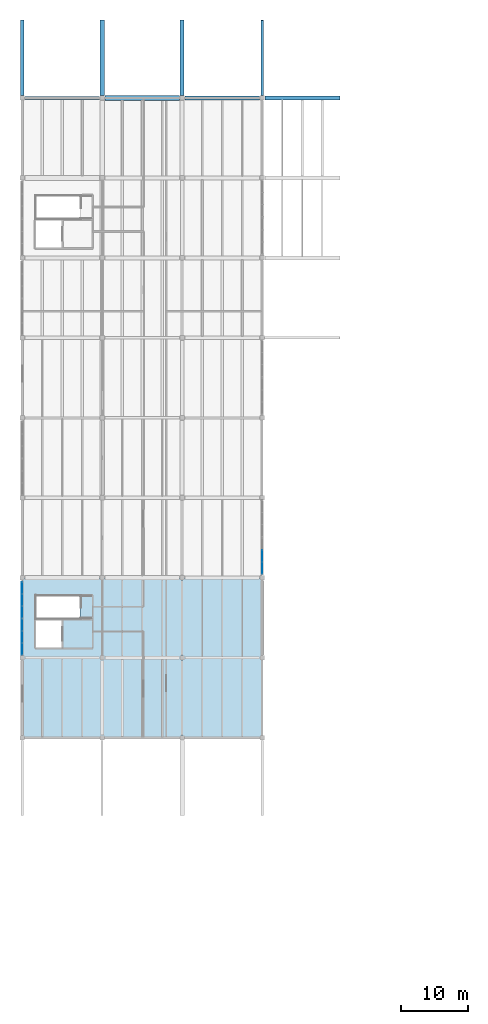
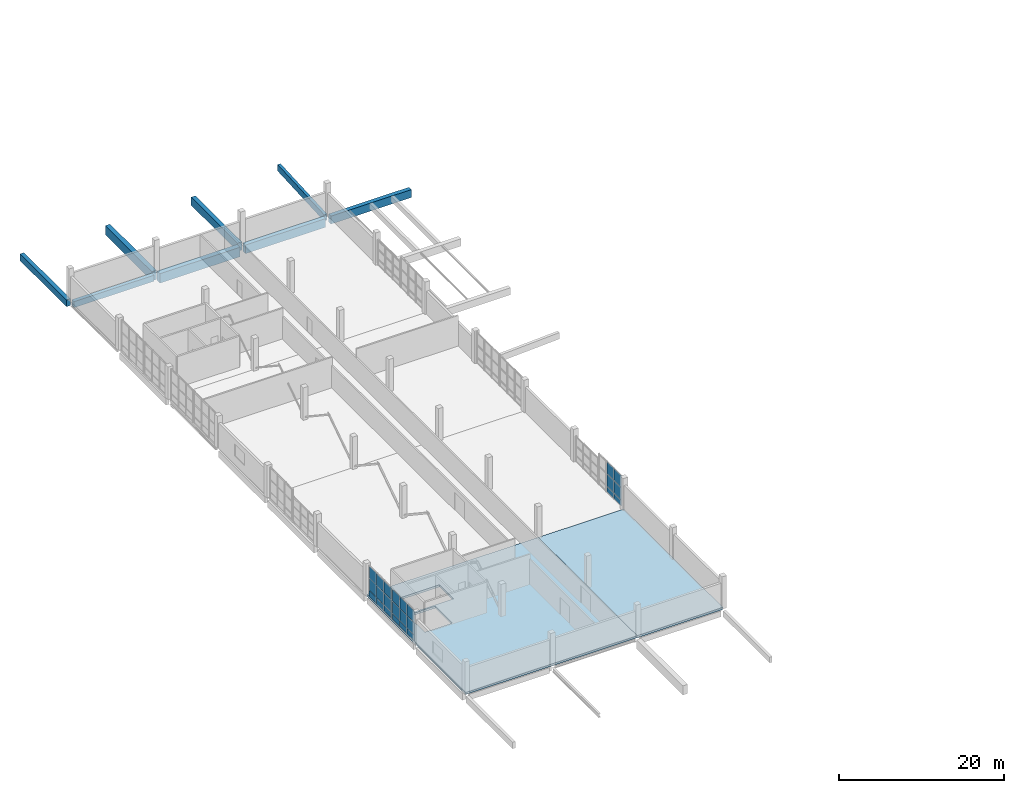
# One storey, part 26 of 49: 24 plates, 8 beams, 2 slabs, 3 elements without a shape of their own.
"""IFC4 building model written with IfcOpenShell, lengths in metres."""

from ifc_helpers import new_model, si_unit, direction, frame, origin, origin_2d, place, context, subcontext, project, spatial, polyline, rectangle, outline, extrude, material, layer, layer_set, material_profile, profile_set, type_object, element, aggregate, save


model = new_model("IFC4")

# Units and contexts
model_context = context("Model", 3, precision=1e-05, world=origin(), true_north=direction((0.0, 1.0)))
body_context = subcontext(model_context, "Body", "Model", "MODEL_VIEW")
ifc_project = project(units=[si_unit("LENGTHUNIT", "METRE"), si_unit("AREAUNIT", "SQUARE_METRE"), si_unit("VOLUMEUNIT", "CUBIC_METRE"), si_unit("PLANEANGLEUNIT", "RADIAN"), si_unit("MASSUNIT", "GRAM", prefix="KILO")], contexts=[model_context])

# Site, building, storey
site_placement = place(None, origin())
site = spatial("IfcSite", under=ifc_project, at=site_placement, CompositionType="ELEMENT")
building_placement = place(site_placement, origin())
building = spatial("IfcBuilding", under=site, at=building_placement, Name="Kamomehara Wholesale Market", CompositionType="ELEMENT")
storey_placement = place(building_placement, frame((0.0, 0.0, 11.39990234375)))
storey = spatial("IfcBuildingStorey", under=building, at=storey_placement, Name="L02", CompositionType="ELEMENT", Elevation=11.39990234375)

# Beams
ifc_material_1 = material(Name="Precast concrete Fc45 (C40/50)", Category="concrete")
ifc_material_profile_1 = material_profile(ifc_material_1, rectangle(XDim=0.580078125, YDim=1.179931640625, at=origin_2d()), Name="PC-GRD-580x1180")
ifc_profile_set_1 = profile_set([ifc_material_profile_1], Name="Precast concrete Fc45 (C40/50)")
beam_type_1 = type_object("IfcBeamType", Name="BM-PG1180", PredefinedType="T_BEAM", material=ifc_profile_set_1)
beam_1_placement = place(storey_placement, frame((36.389892578125, 144.0, -0.849853515625), z_axis=(1.0, 0.0, 0.0), x_axis=(0.0, 1.0, 0.0)))
element("IfcBeam", 1, at=beam_1_placement, inside=storey, type_object=beam_type_1, Name="Beam PG-14 L02", PredefinedType="T_BEAM", context=body_context, shape_type="SweptSolid", body=[
    extrude(rectangle(XDim=0.580078125, YDim=1.179931640625, at=origin_2d()), origin(), (0.0, 0.0, 1.0), 11.25),
])
ifc_material_2 = material(Name="Precast concrete Fc45 (C40/50)", Category="concrete")
ifc_material_profile_2 = material_profile(ifc_material_2, rectangle(XDim=0.60009765625, YDim=1.199951171875, at=origin_2d()), Name="PC-GRD-600x1200")
ifc_profile_set_2 = profile_set([ifc_material_profile_2], Name="Precast concrete Fc45 (C40/50)")
beam_type_2 = type_object("IfcBeamType", Name="BM-PG1200", PredefinedType="T_BEAM", material=ifc_profile_set_2)
beam_2_placement = place(storey_placement, frame((24.0, 144.389892578125, -0.85986328125), z_axis=(0.0, 1.0, 0.0), x_axis=(-1.0, 0.0, 0.0)))
element("IfcBeam", 2, at=beam_2_placement, inside=storey, type_object=beam_type_2, Name="Beam PG-05 L02", PredefinedType="T_BEAM", context=body_context, shape_type="SweptSolid", body=[
    extrude(rectangle(XDim=0.60009765625, YDim=1.199951171875, at=origin_2d()), origin(), (0.0, 0.0, 1.0), 11.28515625),
])
ifc_material_3 = material(Name="Precast concrete Fc45 (C40/50)", Category="concrete")
ifc_material_profile_3 = material_profile(ifc_material_3, rectangle(XDim=0.6201171875, YDim=1.280029296875, at=origin_2d()), Name="PC-GRD-620x1280")
ifc_profile_set_3 = profile_set([ifc_material_profile_3], Name="Precast concrete Fc45 (C40/50)")
beam_type_3 = type_object("IfcBeamType", Name="BM-PG1280", PredefinedType="T_BEAM", material=ifc_profile_set_3)
beam_3_placement = place(storey_placement, frame((24.389892578125, 144.0, -0.971923828125), z_axis=(1.0, 0.0, 0.0), x_axis=(0.0, 1.0, 0.0)))
element("IfcBeam", 3, at=beam_3_placement, inside=storey, type_object=beam_type_3, Name="Beam PG-13 L02", PredefinedType="T_BEAM", context=body_context, shape_type="SweptSolid", body=[
    extrude(rectangle(XDim=0.6201171875, YDim=1.280029296875, at=origin_2d()), origin(), (0.0, 0.0, 1.0), 11.22021484375),
])
ifc_material_4 = material(Name="Precast concrete Fc45 (C40/50)", Category="concrete")
ifc_material_profile_4 = material_profile(ifc_material_4, rectangle(XDim=0.64990234375, YDim=1.35009765625, at=origin_2d()), Name="PC-GRD-650x1350")
ifc_profile_set_4 = profile_set([ifc_material_profile_4], Name="Precast concrete Fc45 (C40/50)")
beam_type_4 = type_object("IfcBeamType", Name="BM-PG1350", PredefinedType="T_BEAM", material=ifc_profile_set_4)
beam_4_placement = place(storey_placement, frame((12.0, 144.389892578125, -0.934814453125), z_axis=(0.0, 1.0, 0.0), x_axis=(-1.0, 0.0, 0.0)))
element("IfcBeam", 4, at=beam_4_placement, inside=storey, type_object=beam_type_4, Name="Beam PG-03 L02", PredefinedType="T_BEAM", context=body_context, shape_type="SweptSolid", body=[
    extrude(rectangle(XDim=0.64990234375, YDim=1.35009765625, at=origin_2d()), origin(), (0.0, 0.0, 1.0), 11.28515625),
])
ifc_material_5 = material(Name="Precast concrete Fc45 (C40/50)", Category="concrete")
ifc_material_profile_5 = material_profile(ifc_material_5, rectangle(XDim=0.699951171875, YDim=1.39990234375, at=origin_2d()), Name="PC-GRD-700x1400")
ifc_profile_set_5 = profile_set([ifc_material_profile_5], Name="Precast concrete Fc45 (C40/50)")
beam_type_5 = type_object("IfcBeamType", Name="BM-PG1400", PredefinedType="T_BEAM", material=ifc_profile_set_5)
beam_5_placement = place(storey_placement, frame((12.389892578125, 144.0, -1.052001953125), z_axis=(1.0, 0.0, 0.0), x_axis=(0.0, 1.0, 0.0)))
element("IfcBeam", 5, at=beam_5_placement, inside=storey, type_object=beam_type_5, Name="Beam PG-02 L02", PredefinedType="T_BEAM", context=body_context, shape_type="SweptSolid", body=[
    extrude(rectangle(XDim=0.699951171875, YDim=1.39990234375, at=origin_2d()), origin(), (0.0, 0.0, 1.0), 11.22021484375),
])
ifc_material_6 = material(Name="Precast concrete Fc45 (C40/50)", Category="concrete")
ifc_material_profile_6 = material_profile(ifc_material_6, rectangle(XDim=0.5, YDim=0.89990234375, at=origin_2d()), Name="PC-GRD-500x900")
ifc_profile_set_6 = profile_set([ifc_material_profile_6], Name="Precast concrete Fc45 (C40/50)")
beam_type_6 = type_object("IfcBeamType", Name="BM-PG900", PredefinedType="T_BEAM", material=ifc_profile_set_6)
beam_6_placement = place(storey_placement, frame((0.389892578125, 144.0, -0.802001953125), z_axis=(1.0, 0.0, 0.0), x_axis=(0.0, 1.0, 0.0)))
element("IfcBeam", 6, at=beam_6_placement, inside=storey, type_object=beam_type_6, Name="Beam PG-10 L02", PredefinedType="T_BEAM", context=body_context, shape_type="SweptSolid", body=[
    extrude(rectangle(XDim=0.5, YDim=0.89990234375, at=origin_2d()), origin(), (0.0, 0.0, 1.0), 11.22021484375),
])
ifc_material_7 = material(Name="Concrete Fc36 (C35/45)", Category="concrete")
ifc_material_profile_7 = material_profile(ifc_material_7, rectangle(XDim=0.550048828125, YDim=1.0, at=origin_2d()), Name="RC-SEB-550x1000")
ifc_profile_set_7 = profile_set([ifc_material_profile_7], Name="Concrete Fc36 (C35/45)")
beam_type_7 = type_object("IfcBeamType", Name="BM-SEB1000-EXT", PredefinedType="SPANDREL", material=ifc_profile_set_7)
beam_7_placement = place(storey_placement, frame((0.0, 144.389892578125, -0.760009765625), z_axis=(0.0, 1.0, 0.0), x_axis=(-1.0, 0.0, 0.0)))
element("IfcBeam", 7, at=beam_7_placement, inside=storey, type_object=beam_type_7, Name="Beam SEB-03E L02", PredefinedType="SPANDREL", context=body_context, shape_type="SweptSolid", body=[
    extrude(rectangle(XDim=0.550048828125, YDim=1.0, at=origin_2d()), origin(), (0.0, 0.0, 1.0), 11.28515625),
])
ifc_material_8 = material(Name="Precast concrete Fc45 (C40/50)", Category="concrete")
ifc_material_profile_8 = material_profile(ifc_material_8, rectangle(XDim=0.39990234375, YDim=0.949951171875, at=origin_2d()), Name="PC-SPN-400x950")
ifc_profile_set_8 = profile_set([ifc_material_profile_8], Name="Precast concrete Fc45 (C40/50)")
beam_type_8 = type_object("IfcBeamType", Name="BM-SPN950-EXT", PredefinedType="SPANDREL", material=ifc_profile_set_8)
beam_8_placement = place(storey_placement, frame((36.0, 144.389892578125, -0.73388671875), z_axis=(0.0, 0.998589156398, 0.053100816598), x_axis=(-1.0, 0.0, 0.0)))
element("IfcBeam", 8, at=beam_8_placement, inside=storey, type_object=beam_type_8, Name="Beam SPN-01E L02", PredefinedType="SPANDREL", context=body_context, shape_type="SweptSolid", body=[
    extrude(rectangle(XDim=0.39990234375, YDim=0.949951171875, at=origin_2d()), origin(), (0.0, 0.0, 1.0), 11.301025390625),
])

# Curtain wall, plates
ifc_material_9 = material(Name="Anodised aluminium 6063-T5", Category="aluminium")
curtain_wall_type_1 = type_object("IfcCurtainWallType", Name="CW-UN-10", PredefinedType="NOTDEFINED", material=ifc_material_9)
curtain_wall_1_placement = place(storey_placement, origin())
curtain_wall_1 = element("IfcCurtainWall", 9, at=curtain_wall_1_placement, inside=storey, type_object=curtain_wall_type_1, Name="Unitised curtain wall CW-001", PredefinedType="NOTDEFINED")
ifc_material_10 = material(Name="Solar-control Low-E double glazing", Category="glass")
ifc_layer_1 = layer(ifc_material_10, 0.028076171875)
ifc_layer_set_1 = layer_set([ifc_layer_1], Name="Solar-control Low-E double glazing")
plate_type_1 = type_object("IfcPlateType", Name="CW-PNL-GLZ", PredefinedType="CURTAIN_PANEL", material=ifc_layer_set_1)
plate_1_placement = place(storey_placement, frame((-0.02001953125, 61.300048828125, 0.9794921875), z_axis=(0.0, 0.0, 1.0), x_axis=(0.0, 1.0, 0.0)))
plate_1 = element("IfcPlate", 10, at=plate_1_placement, type_object=plate_type_1, Name="Curtain panel CW-001.0.1", PredefinedType="CURTAIN_PANEL", context=body_context, shape_type="SweptSolid", body=[
    extrude(rectangle(XDim=1.719970703125, YDim=0.028076171875, at=origin_2d()), origin(), (0.0, 0.0, 1.0), 1.764892578125),
])
plate_2_placement = place(storey_placement, frame((-0.02001953125, 61.300048828125, 2.8056640625), z_axis=(0.0, 0.0, 1.0), x_axis=(0.0, 1.0, 0.0)))
plate_2 = element("IfcPlate", 11, at=plate_2_placement, type_object=plate_type_1, Name="Curtain panel CW-001.0.2", PredefinedType="CURTAIN_PANEL", context=body_context, shape_type="SweptSolid", body=[
    extrude(rectangle(XDim=1.719970703125, YDim=0.028076171875, at=origin_2d()), origin(), (0.0, 0.0, 1.0), 1.72509765625),
])
plate_3_placement = place(storey_placement, frame((-0.02001953125, 63.10009765625, 0.9794921875), z_axis=(0.0, 0.0, 1.0), x_axis=(0.0, 1.0, 0.0)))
plate_3 = element("IfcPlate", 12, at=plate_3_placement, type_object=plate_type_1, Name="Curtain panel CW-001.1.1", PredefinedType="CURTAIN_PANEL", context=body_context, shape_type="SweptSolid", body=[
    extrude(rectangle(XDim=1.719970703125, YDim=0.028076171875, at=origin_2d()), origin(), (0.0, 0.0, 1.0), 1.764892578125),
])
plate_4_placement = place(storey_placement, frame((-0.02001953125, 63.10009765625, 2.8056640625), z_axis=(0.0, 0.0, 1.0), x_axis=(0.0, 1.0, 0.0)))
plate_4 = element("IfcPlate", 13, at=plate_4_placement, type_object=plate_type_1, Name="Curtain panel CW-001.1.2", PredefinedType="CURTAIN_PANEL", context=body_context, shape_type="SweptSolid", body=[
    extrude(rectangle(XDim=1.719970703125, YDim=0.028076171875, at=origin_2d()), origin(), (0.0, 0.0, 1.0), 1.72509765625),
])
plate_5_placement = place(storey_placement, frame((-0.02001953125, 64.89990234375, 0.9794921875), z_axis=(0.0, 0.0, 1.0), x_axis=(0.0, 1.0, 0.0)))
plate_5 = element("IfcPlate", 14, at=plate_5_placement, type_object=plate_type_1, Name="Curtain panel CW-001.2.1", PredefinedType="CURTAIN_PANEL", context=body_context, shape_type="SweptSolid", body=[
    extrude(rectangle(XDim=1.719970703125, YDim=0.028076171875, at=origin_2d()), origin(), (0.0, 0.0, 1.0), 1.764892578125),
])
plate_6_placement = place(storey_placement, frame((-0.02001953125, 64.89990234375, 2.8056640625), z_axis=(0.0, 0.0, 1.0), x_axis=(0.0, 1.0, 0.0)))
plate_6 = element("IfcPlate", 15, at=plate_6_placement, type_object=plate_type_1, Name="Curtain panel CW-001.2.2", PredefinedType="CURTAIN_PANEL", context=body_context, shape_type="SweptSolid", body=[
    extrude(rectangle(XDim=1.719970703125, YDim=0.028076171875, at=origin_2d()), origin(), (0.0, 0.0, 1.0), 1.72509765625),
])

curtain_wall_2_placement = place(storey_placement, origin())
curtain_wall_2 = element("IfcCurtainWall", 16, at=curtain_wall_2_placement, inside=storey, type_object=curtain_wall_type_1, Name="Unitised curtain wall CW-002", PredefinedType="NOTDEFINED")
plate_7_placement = place(storey_placement, frame((-0.02001953125, 66.89990234375, 0.9794921875), z_axis=(0.0, 0.0, 1.0), x_axis=(0.0, 1.0, 0.0)))
plate_7 = element("IfcPlate", 17, at=plate_7_placement, type_object=plate_type_1, Name="Curtain panel CW-002.0.1", PredefinedType="CURTAIN_PANEL", context=body_context, shape_type="SweptSolid", body=[
    extrude(rectangle(XDim=1.719970703125, YDim=0.028076171875, at=origin_2d()), origin(), (0.0, 0.0, 1.0), 1.764892578125),
])
plate_8_placement = place(storey_placement, frame((-0.02001953125, 66.89990234375, 2.8056640625), z_axis=(0.0, 0.0, 1.0), x_axis=(0.0, 1.0, 0.0)))
plate_8 = element("IfcPlate", 18, at=plate_8_placement, type_object=plate_type_1, Name="Curtain panel CW-002.0.2", PredefinedType="CURTAIN_PANEL", context=body_context, shape_type="SweptSolid", body=[
    extrude(rectangle(XDim=1.719970703125, YDim=0.028076171875, at=origin_2d()), origin(), (0.0, 0.0, 1.0), 1.72509765625),
])
plate_9_placement = place(storey_placement, frame((-0.02001953125, 68.699951171875, 0.9794921875), z_axis=(0.0, 0.0, 1.0), x_axis=(0.0, 1.0, 0.0)))
plate_9 = element("IfcPlate", 19, at=plate_9_placement, type_object=plate_type_1, Name="Curtain panel CW-002.1.1", PredefinedType="CURTAIN_PANEL", context=body_context, shape_type="SweptSolid", body=[
    extrude(rectangle(XDim=1.719970703125, YDim=0.028076171875, at=origin_2d()), origin(), (0.0, 0.0, 1.0), 1.764892578125),
])
plate_10_placement = place(storey_placement, frame((-0.02001953125, 68.699951171875, 2.8056640625), z_axis=(0.0, 0.0, 1.0), x_axis=(0.0, 1.0, 0.0)))
plate_10 = element("IfcPlate", 20, at=plate_10_placement, type_object=plate_type_1, Name="Curtain panel CW-002.1.2", PredefinedType="CURTAIN_PANEL", context=body_context, shape_type="SweptSolid", body=[
    extrude(rectangle(XDim=1.719970703125, YDim=0.028076171875, at=origin_2d()), origin(), (0.0, 0.0, 1.0), 1.72509765625),
])
plate_11_placement = place(storey_placement, frame((-0.02001953125, 70.5, 0.9794921875), z_axis=(0.0, 0.0, 1.0), x_axis=(0.0, 1.0, 0.0)))
plate_11 = element("IfcPlate", 21, at=plate_11_placement, type_object=plate_type_1, Name="Curtain panel CW-002.2.1", PredefinedType="CURTAIN_PANEL", context=body_context, shape_type="SweptSolid", body=[
    extrude(rectangle(XDim=1.719970703125, YDim=0.028076171875, at=origin_2d()), origin(), (0.0, 0.0, 1.0), 1.764892578125),
])
plate_12_placement = place(storey_placement, frame((-0.02001953125, 70.5, 2.8056640625), z_axis=(0.0, 0.0, 1.0), x_axis=(0.0, 1.0, 0.0)))
plate_12 = element("IfcPlate", 22, at=plate_12_placement, type_object=plate_type_1, Name="Curtain panel CW-002.2.2", PredefinedType="CURTAIN_PANEL", context=body_context, shape_type="SweptSolid", body=[
    extrude(rectangle(XDim=1.719970703125, YDim=0.028076171875, at=origin_2d()), origin(), (0.0, 0.0, 1.0), 1.72509765625),
])

ifc_material_11 = material(Name="Anodised aluminium 6063-T5", Category="aluminium")
curtain_wall_type_2 = type_object("IfcCurtainWallType", Name="CW-UN-07", PredefinedType="NOTDEFINED", material=ifc_material_11)
curtain_wall_3_placement = place(storey_placement, origin())
curtain_wall_3 = element("IfcCurtainWall", 23, at=curtain_wall_3_placement, inside=storey, type_object=curtain_wall_type_2, Name="Unitised curtain wall CW-010", PredefinedType="NOTDEFINED")
plate_13_placement = place(storey_placement, frame((36.02001953125, 75.300048828125, 0.93017578125), z_axis=(0.0, 0.0, 1.0), x_axis=(0.0, -1.0, 0.0)))
plate_13 = element("IfcPlate", 24, at=plate_13_placement, type_object=plate_type_1, Name="Curtain panel CW-010.1.1", PredefinedType="CURTAIN_PANEL", context=body_context, shape_type="SweptSolid", body=[
    extrude(rectangle(XDim=1.719970703125, YDim=0.028076171875, at=origin_2d()), origin(), (0.0, 0.0, 1.0), 1.7900390625),
])
plate_14_placement = place(storey_placement, frame((36.02001953125, 75.300048828125, 2.780029296875), z_axis=(0.0, 0.0, 1.0), x_axis=(0.0, -1.0, 0.0)))
plate_14 = element("IfcPlate", 25, at=plate_14_placement, type_object=plate_type_1, Name="Curtain panel CW-010.1.2", PredefinedType="CURTAIN_PANEL", context=body_context, shape_type="SweptSolid", body=[
    extrude(rectangle(XDim=1.719970703125, YDim=0.028076171875, at=origin_2d()), origin(), (0.0, 0.0, 1.0), 1.75),
])
plate_15_placement = place(storey_placement, frame((36.02001953125, 73.5, 0.93017578125), z_axis=(0.0, 0.0, 1.0), x_axis=(0.0, -1.0, 0.0)))
plate_15 = element("IfcPlate", 26, at=plate_15_placement, type_object=plate_type_1, Name="Curtain panel CW-010.2.1", PredefinedType="CURTAIN_PANEL", context=body_context, shape_type="SweptSolid", body=[
    extrude(rectangle(XDim=1.719970703125, YDim=0.028076171875, at=origin_2d()), origin(), (0.0, 0.0, 1.0), 1.7900390625),
])
plate_16_placement = place(storey_placement, frame((36.02001953125, 73.5, 2.780029296875), z_axis=(0.0, 0.0, 1.0), x_axis=(0.0, -1.0, 0.0)))
plate_16 = element("IfcPlate", 27, at=plate_16_placement, type_object=plate_type_1, Name="Curtain panel CW-010.2.2", PredefinedType="CURTAIN_PANEL", context=body_context, shape_type="SweptSolid", body=[
    extrude(rectangle(XDim=1.719970703125, YDim=0.028076171875, at=origin_2d()), origin(), (0.0, 0.0, 1.0), 1.75),
])

# Plate
ifc_material_12 = material(Name="Insulated aluminium spandrel panel", Category="aluminium")
ifc_layer_2 = layer(ifc_material_12, 0.0400390625)
ifc_layer_set_2 = layer_set([ifc_layer_2], Name="Insulated aluminium spandrel panel")
plate_type_2 = type_object("IfcPlateType", Name="CW-PNL-SPN", PredefinedType="CURTAIN_PANEL", material=ifc_layer_set_2)
plate_17_placement = place(storey_placement, frame((-0.02001953125, 61.300048828125, 0.070068359375), z_axis=(0.0, 0.0, 1.0), x_axis=(0.0, 1.0, 0.0)))
plate_17 = element("IfcPlate", 28, at=plate_17_placement, type_object=plate_type_2, Name="Curtain panel CW-001.0.0", PredefinedType="CURTAIN_PANEL", context=body_context, shape_type="SweptSolid", body=[
    extrude(rectangle(XDim=1.719970703125, YDim=0.0400390625, at=origin_2d()), origin(), (0.0, 0.0, 1.0), 0.85009765625),
])

plate_18_placement = place(storey_placement, frame((-0.02001953125, 63.10009765625, 0.070068359375), z_axis=(0.0, 0.0, 1.0), x_axis=(0.0, 1.0, 0.0)))
plate_18 = element("IfcPlate", 29, at=plate_18_placement, type_object=plate_type_2, Name="Curtain panel CW-001.1.0", PredefinedType="CURTAIN_PANEL", context=body_context, shape_type="SweptSolid", body=[
    extrude(rectangle(XDim=1.719970703125, YDim=0.0400390625, at=origin_2d()), origin(), (0.0, 0.0, 1.0), 0.85009765625),
])

plate_19_placement = place(storey_placement, frame((-0.02001953125, 64.89990234375, 0.070068359375), z_axis=(0.0, 0.0, 1.0), x_axis=(0.0, 1.0, 0.0)))
plate_19 = element("IfcPlate", 30, at=plate_19_placement, type_object=plate_type_2, Name="Curtain panel CW-001.2.0", PredefinedType="CURTAIN_PANEL", context=body_context, shape_type="SweptSolid", body=[
    extrude(rectangle(XDim=1.719970703125, YDim=0.0400390625, at=origin_2d()), origin(), (0.0, 0.0, 1.0), 0.85009765625),
])

aggregate(curtain_wall_1, [plate_17, plate_1, plate_2, plate_18, plate_3, plate_4, plate_19, plate_5, plate_6])

plate_20_placement = place(storey_placement, frame((-0.02001953125, 66.89990234375, 0.070068359375), z_axis=(0.0, 0.0, 1.0), x_axis=(0.0, 1.0, 0.0)))
plate_20 = element("IfcPlate", 31, at=plate_20_placement, type_object=plate_type_2, Name="Curtain panel CW-002.0.0", PredefinedType="CURTAIN_PANEL", context=body_context, shape_type="SweptSolid", body=[
    extrude(rectangle(XDim=1.719970703125, YDim=0.0400390625, at=origin_2d()), origin(), (0.0, 0.0, 1.0), 0.85009765625),
])

plate_21_placement = place(storey_placement, frame((-0.02001953125, 68.699951171875, 0.070068359375), z_axis=(0.0, 0.0, 1.0), x_axis=(0.0, 1.0, 0.0)))
plate_21 = element("IfcPlate", 32, at=plate_21_placement, type_object=plate_type_2, Name="Curtain panel CW-002.1.0", PredefinedType="CURTAIN_PANEL", context=body_context, shape_type="SweptSolid", body=[
    extrude(rectangle(XDim=1.719970703125, YDim=0.0400390625, at=origin_2d()), origin(), (0.0, 0.0, 1.0), 0.85009765625),
])

plate_22_placement = place(storey_placement, frame((-0.02001953125, 70.5, 0.070068359375), z_axis=(0.0, 0.0, 1.0), x_axis=(0.0, 1.0, 0.0)))
plate_22 = element("IfcPlate", 33, at=plate_22_placement, type_object=plate_type_2, Name="Curtain panel CW-002.2.0", PredefinedType="CURTAIN_PANEL", context=body_context, shape_type="SweptSolid", body=[
    extrude(rectangle(XDim=1.719970703125, YDim=0.0400390625, at=origin_2d()), origin(), (0.0, 0.0, 1.0), 0.85009765625),
])

aggregate(curtain_wall_2, [plate_20, plate_7, plate_8, plate_21, plate_9, plate_10, plate_22, plate_11, plate_12])

plate_23_placement = place(storey_placement, frame((36.02001953125, 75.300048828125, 0.0703125), z_axis=(0.0, 0.0, 1.0), x_axis=(0.0, -1.0, 0.0)))
plate_23 = element("IfcPlate", 34, at=plate_23_placement, type_object=plate_type_2, Name="Curtain panel CW-010.1.0", PredefinedType="CURTAIN_PANEL", context=body_context, shape_type="SweptSolid", body=[
    extrude(rectangle(XDim=1.719970703125, YDim=0.0400390625, at=origin_2d()), origin(), (0.0, 0.0, 1.0), 0.800048828125),
])

plate_24_placement = place(storey_placement, frame((36.02001953125, 73.5, 0.0703125), z_axis=(0.0, 0.0, 1.0), x_axis=(0.0, -1.0, 0.0)))
plate_24 = element("IfcPlate", 35, at=plate_24_placement, type_object=plate_type_2, Name="Curtain panel CW-010.2.0", PredefinedType="CURTAIN_PANEL", context=body_context, shape_type="SweptSolid", body=[
    extrude(rectangle(XDim=1.719970703125, YDim=0.0400390625, at=origin_2d()), origin(), (0.0, 0.0, 1.0), 0.800048828125),
])

aggregate(curtain_wall_3, [plate_23, plate_13, plate_14, plate_24, plate_15, plate_16])

# Slabs
ifc_material_13 = material(Name="Concrete Fc36 (C35/45)", Category="concrete")
ifc_layer_3 = layer(ifc_material_13, 0.31005859375)
ifc_layer_set_3 = layer_set([ifc_layer_3], Name="Concrete Fc36 (C35/45)")
slab_type_1 = type_object("IfcSlabType", Name="SLB-FLR-220", PredefinedType="FLOOR", material=ifc_layer_set_3)
slab_1_placement = place(storey_placement, frame((0.0, 0.0, -0.309814453125)))
element("IfcSlab", 36, at=slab_1_placement, inside=storey, type_object=slab_type_1, Name="Floor slab V3 L02 110", PredefinedType="FLOOR", context=body_context, shape_type="SweptSolid", body=[
    extrude(outline(polyline([(24.0, 72.0), (24.0, 48.0), (0.0, 48.0), (0.0, 72.0), (24.0, 72.0)]), holes=[polyline([(8.6298828125, 65.89990234375), (8.6298828125, 69.300048828125), (2.050048828125, 69.300048828125), (2.050048828125, 65.89990234375), (8.6298828125, 65.89990234375)]), polyline([(5.929931640625, 61.52001953125), (5.929931640625, 65.659912109375), (2.050048828125, 65.659912109375), (2.050048828125, 61.52001953125), (5.929931640625, 61.52001953125)])]), origin(), (0.0, 0.0, 1.0), 0.309814453125),
])
ifc_material_14 = material(Name="Concrete Fc36 (C35/45)", Category="concrete")
ifc_layer_4 = layer(ifc_material_14, 0.320068359375)
ifc_layer_set_4 = layer_set([ifc_layer_4], Name="Concrete Fc36 (C35/45)")
slab_type_2 = type_object("IfcSlabType", Name="SLB-FLR-240", PredefinedType="FLOOR", material=ifc_layer_set_4)
slab_2_placement = place(storey_placement, frame((0.0, 0.0, -0.31982421875)))
element("IfcSlab", 37, at=slab_2_placement, inside=storey, type_object=slab_type_2, Name="Floor slab V3 L02 114", PredefinedType="FLOOR", context=body_context, shape_type="SweptSolid", body=[
    extrude(outline(polyline([(36.0, 48.0), (24.0, 48.0), (24.0, 72.0), (36.0, 72.0), (36.0, 48.0)])), origin(), (0.0, 0.0, 1.0), 0.31982421875),
])

save(model, "model.ifc")
